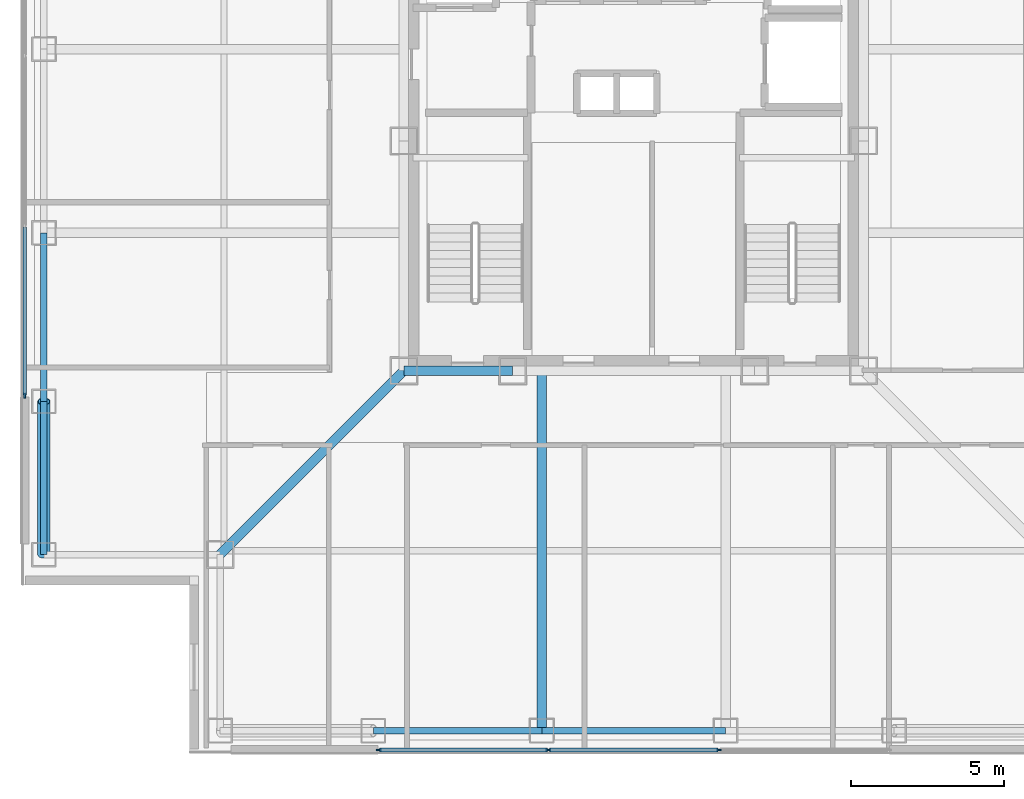
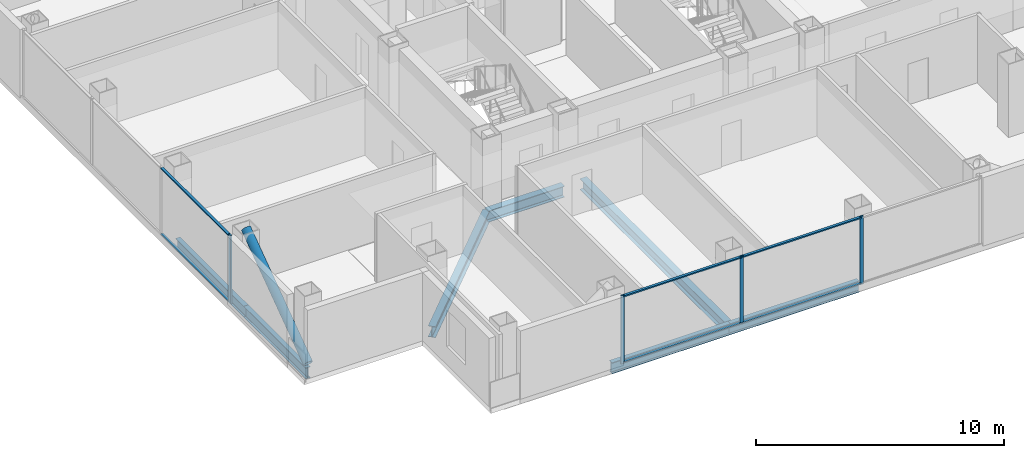
# One storey, part 2 of 17: 11 members, 7 beams, 2 elements without a shape of their own.
"""IFC4 building model written with IfcOpenShell, lengths in metres."""

from ifc_helpers import new_model, si_unit, direction, frame, origin, origin_2d, place, context, subcontext, project, spatial, rectangle, hollow_circle, i_section, extrude, material, layer, layer_set, material_profile, profile_set, type_object, element, aggregate, save


model = new_model("IFC4")

# Units and contexts
model_context = context("Model", 3, precision=1e-05, world=origin(), true_north=direction((0.0, 1.0)))
body_context = subcontext(model_context, "Body", "Model", "MODEL_VIEW")
ifc_project = project(units=[si_unit("LENGTHUNIT", "METRE"), si_unit("AREAUNIT", "SQUARE_METRE"), si_unit("VOLUMEUNIT", "CUBIC_METRE"), si_unit("PLANEANGLEUNIT", "RADIAN"), si_unit("MASSUNIT", "GRAM", prefix="KILO")], contexts=[model_context])

# Site, building, storey
site_placement = place(None, origin())
site = spatial("IfcSite", under=ifc_project, at=site_placement, CompositionType="ELEMENT")
building_placement = place(site_placement, origin())
building = spatial("IfcBuilding", under=site, at=building_placement, Name="Trevonay Congress Spire", CompositionType="ELEMENT")
storey_placement = place(building_placement, frame((0.0, 0.0, 213.0)))
storey = spatial("IfcBuildingStorey", under=building, at=storey_placement, Name="L55", CompositionType="ELEMENT", Elevation=213.0)

# Beams
ifc_material_1 = material(Name="Steel ASTM A572 Grade 50", Category="steel")
ifc_material_profile_1 = material_profile(ifc_material_1, i_section(OverallWidth=0.31201171875, OverallDepth=0.54296875, WebThickness=0.0126953125, FlangeThickness=0.020263671875, FilletRadius=0.014892578125, at=origin_2d()), Name="W530x150")
ifc_profile_set_1 = profile_set([ifc_material_profile_1], Name="Steel ASTM A572 Grade 50")
beam_type_1 = type_object("IfcBeamType", Name="BM-GIRD-W530X150", PredefinedType="BEAM", material=ifc_profile_set_1)
beam_1_placement = place(storey_placement, frame((-7.5, -7.5, -0.511474609375), z_axis=(1.0, 0.0, 0.0), x_axis=(0.0, 1.0, 0.0)))
element("IfcBeam", 1, at=beam_1_placement, inside=storey, type_object=beam_type_1, Name="L55 structural beam BM-L55-CR-S1", PredefinedType="BEAM", context=body_context, shape_type="SweptSolid", body=[
    extrude(i_section(OverallWidth=0.31201171875, OverallDepth=0.54296875, WebThickness=0.0126953125, FlangeThickness=0.020263671875, FilletRadius=0.014892578125, at=origin_2d()), origin(), (0.0, 0.0, 1.0), 3.550048828125),
])
beam_2_placement = place(storey_placement, frame((-7.5, -7.5, -0.511474609375), z_axis=(-0.707106781187, -0.707106781187, 0.0), x_axis=(0.707106781187, -0.707106781187, 0.0)))
element("IfcBeam", 2, at=beam_2_placement, inside=storey, type_object=beam_type_1, Name="L55 structural beam BM-L55-CDSW", PredefinedType="BEAM", context=body_context, shape_type="SweptSolid", body=[
    extrude(i_section(OverallWidth=0.31201171875, OverallDepth=0.54296875, WebThickness=0.0126953125, FlangeThickness=0.020263671875, FilletRadius=0.014892578125, at=origin_2d()), origin(), (0.0, 0.0, 1.0), 8.4853515625),
])
beam_3_placement = place(storey_placement, frame((-3.0, -7.5, -0.511474609375), z_axis=(0.0, -1.0, 0.0), x_axis=(1.0, 0.0, 0.0)))
element("IfcBeam", 3, at=beam_3_placement, inside=storey, type_object=beam_type_1, Name="L55 structural beam BM-L55-GS-M", PredefinedType="BEAM", context=body_context, shape_type="SweptSolid", body=[
    extrude(i_section(OverallWidth=0.31201171875, OverallDepth=0.54296875, WebThickness=0.0126953125, FlangeThickness=0.020263671875, FilletRadius=0.014892578125, at=origin_2d()), origin(), (0.0, 0.0, 1.0), 11.75),
])
ifc_material_profile_2 = material_profile(ifc_material_1, i_section(OverallWidth=0.2119140625, OverallDepth=0.5439453125, WebThickness=0.01318359375, FlangeThickness=0.021240234375, FilletRadius=0.014892578125, at=origin_2d()), Name="W530x123")
ifc_profile_set_2 = profile_set([ifc_material_profile_2], Name="Steel ASTM A572 Grade 50")
beam_type_2 = type_object("IfcBeamType", Name="BM-RING-W530X123", PredefinedType="BEAM", material=ifc_profile_set_2)
beam_4_placement = place(storey_placement, frame((-19.25, -13.5, -0.511962890625), z_axis=(0.0, 1.0, 0.0), x_axis=(-1.0, 0.0, 0.0)))
element("IfcBeam", 4, at=beam_4_placement, inside=storey, type_object=beam_type_2, Name="L55 structural beam BM-L55-PW1", PredefinedType="BEAM", context=body_context, shape_type="SweptSolid", body=[
    extrude(i_section(OverallWidth=0.2119140625, OverallDepth=0.5439453125, WebThickness=0.01318359375, FlangeThickness=0.021240234375, FilletRadius=0.014892578125, at=origin_2d()), origin(), (0.0, 0.0, 1.0), 5.0),
])
for number, where, z_axis, x_axis, name in (
    (5, (-8.5, -19.25, -0.511962890625), (1.0, 0.0, 0.0), (0.0, 1.0, 0.0), "L55 structural beam BM-L55-PS2"),
    (6, (-19.25, -8.5, -0.511962890625), (0.0, 1.0, 0.0), (-1.0, 0.0, 0.0), "L55 structural beam BM-L55-PW2"),
):
    element("IfcBeam", number, at=place(storey_placement, frame(where, z_axis=z_axis, x_axis=x_axis)), inside=storey, type_object=beam_type_2, Name=name, PredefinedType="BEAM", context=body_context, shape_type="SweptSolid", body=[
        extrude(i_section(OverallWidth=0.2119140625, OverallDepth=0.5439453125, WebThickness=0.01318359375, FlangeThickness=0.021240234375, FilletRadius=0.014892578125, at=origin_2d()), origin(), (0.0, 0.0, 1.0), 5.5),
    ])
beam_5_placement = place(storey_placement, frame((-3.0, -19.25, -0.511962890625), z_axis=(1.0, 0.0, 0.0), x_axis=(0.0, 1.0, 0.0)))
element("IfcBeam", 7, at=beam_5_placement, inside=storey, type_object=beam_type_2, Name="L55 structural beam BM-L55-PS3", PredefinedType="BEAM", context=body_context, shape_type="SweptSolid", body=[
    extrude(i_section(OverallWidth=0.2119140625, OverallDepth=0.5439453125, WebThickness=0.01318359375, FlangeThickness=0.021240234375, FilletRadius=0.014892578125, at=origin_2d()), origin(), (0.0, 0.0, 1.0), 6.0),
])

# Curtain wall, members
ifc_material_2 = material(Name="Pale Anodised Aluminium EN AW-6063-T6", Category="aluminium")
ifc_layer = layer(ifc_material_2, 0.169921875, Name="Pale Anodised Aluminium EN AW-6063-T6")
ifc_layer_set = layer_set([ifc_layer], Name="Pale Anodised Aluminium EN AW-6063-T6")
curtain_wall_type = type_object("IfcCurtainWallType", Name="CW-SYS04-CORP-PALE-METAL", PredefinedType="NOTDEFINED", material=ifc_layer_set)
curtain_wall_1_placement = place(storey_placement, origin())
curtain_wall_1 = element("IfcCurtainWall", 8, at=curtain_wall_1_placement, inside=storey, type_object=curtain_wall_type, Name="L55 S unitised curtain wall", PredefinedType="NOTDEFINED")
ifc_material_profile_3 = material_profile(ifc_material_2, rectangle(XDim=0.06005859375, YDim=0.159912109375, at=origin_2d()), Name="CW-MULLION-160-ALUMINIUM")
ifc_profile_set_3 = profile_set([ifc_material_profile_3], Name="Pale Anodised Aluminium EN AW-6063-T6")
member_type_1 = type_object("IfcMemberType", Name="CW-MULLION-160-ALUMINIUM", PredefinedType="MULLION", material=ifc_profile_set_3)
member_1_placement = place(storey_placement, frame((-8.320068359375, -19.8798828125, 0.0), z_axis=(0.0, 0.0, 1.0), x_axis=(0.0, 1.0, 0.0)))
member_1 = element("IfcMember", 9, at=member_1_placement, type_object=member_type_1, Name="CW04 mullion 1", PredefinedType="MULLION", context=body_context, shape_type="SweptSolid", body=[
    extrude(rectangle(XDim=0.06005859375, YDim=0.159912109375, at=origin_2d()), origin(), (0.0, 0.0, 1.0), 3.360107421875),
])
member_2_placement = place(storey_placement, frame((-2.783447265625, -19.8798828125, 0.0), z_axis=(0.0, 0.0, 1.0), x_axis=(0.0, 1.0, 0.0)))
member_2 = element("IfcMember", 10, at=member_2_placement, type_object=member_type_1, Name="CW04 mullion 2", PredefinedType="MULLION", context=body_context, shape_type="SweptSolid", body=[
    extrude(rectangle(XDim=0.06005859375, YDim=0.159912109375, at=origin_2d()), origin(), (0.0, 0.0, 1.0), 3.360107421875),
])
member_3_placement = place(storey_placement, frame((2.783447265625, -19.8798828125, 0.0), z_axis=(0.0, 0.0, 1.0), x_axis=(0.0, 1.0, 0.0)))
member_3 = element("IfcMember", 11, at=member_3_placement, type_object=member_type_1, Name="CW04 mullion 3", PredefinedType="MULLION", context=body_context, shape_type="SweptSolid", body=[
    extrude(rectangle(XDim=0.06005859375, YDim=0.159912109375, at=origin_2d()), origin(), (0.0, 0.0, 1.0), 3.360107421875),
])

# Curtain wall, member
curtain_wall_2_placement = place(storey_placement, origin())
curtain_wall_2 = element("IfcCurtainWall", 12, at=curtain_wall_2_placement, inside=storey, type_object=curtain_wall_type, Name="L55 W unitised curtain wall", PredefinedType="NOTDEFINED")
member_4_placement = place(storey_placement, frame((-19.8798828125, -8.320068359375, 0.0), z_axis=(0.0, 0.0, 1.0), x_axis=(-1.0, 0.0, 0.0)))
member_4 = element("IfcMember", 13, at=member_4_placement, type_object=member_type_1, Name="CW04 mullion 1", PredefinedType="MULLION", context=body_context, shape_type="SweptSolid", body=[
    extrude(rectangle(XDim=0.06005859375, YDim=0.159912109375, at=origin_2d()), origin(), (0.0, 0.0, 1.0), 3.360107421875),
])

# Member
ifc_material_profile_4 = material_profile(ifc_material_2, rectangle(XDim=0.1201171875, YDim=0.06005859375, at=origin_2d()), Name="CW-TRANSOM-120-ALUMINIUM")
ifc_profile_set_4 = profile_set([ifc_material_profile_4], Name="Pale Anodised Aluminium EN AW-6063-T6")
member_type_2 = type_object("IfcMemberType", Name="CW-TRANSOM-120-ALUMINIUM", PredefinedType="USERDEFINED", material=ifc_profile_set_4)
member_5_placement = place(storey_placement, frame((-8.2900390625, -19.8798828125, 0.06005859375), z_axis=(1.0, 0.0, 0.0), x_axis=(0.0, 1.0, 0.0)))
member_5 = element("IfcMember", 14, at=member_5_placement, type_object=member_type_2, Name="CW04 transom 1.1", ObjectType="TRANSOM", PredefinedType="USERDEFINED", context=body_context, shape_type="SweptSolid", body=[
    extrude(rectangle(XDim=0.1201171875, YDim=0.06005859375, at=origin_2d()), origin(), (0.0, 0.0, 1.0), 5.476806640625),
])

member_6_placement = place(storey_placement, frame((-8.2900390625, -19.8798828125, 3.300048828125), z_axis=(1.0, 0.0, 0.0), x_axis=(0.0, 1.0, 0.0)))
member_6 = element("IfcMember", 15, at=member_6_placement, type_object=member_type_2, Name="CW04 transom 1.2", ObjectType="TRANSOM", PredefinedType="USERDEFINED", context=body_context, shape_type="SweptSolid", body=[
    extrude(rectangle(XDim=0.1201171875, YDim=0.06005859375, at=origin_2d()), origin(), (0.0, 0.0, 1.0), 5.476806640625),
])

member_7_placement = place(storey_placement, frame((-2.75341796875, -19.8798828125, 0.06005859375), z_axis=(1.0, 0.0, 0.0), x_axis=(0.0, 1.0, 0.0)))
member_7 = element("IfcMember", 16, at=member_7_placement, type_object=member_type_2, Name="CW04 transom 2.1", ObjectType="TRANSOM", PredefinedType="USERDEFINED", context=body_context, shape_type="SweptSolid", body=[
    extrude(rectangle(XDim=0.1201171875, YDim=0.06005859375, at=origin_2d()), origin(), (0.0, 0.0, 1.0), 5.5068359375),
])

member_8_placement = place(storey_placement, frame((-2.75341796875, -19.8798828125, 3.300048828125), z_axis=(1.0, 0.0, 0.0), x_axis=(0.0, 1.0, 0.0)))
member_8 = element("IfcMember", 17, at=member_8_placement, type_object=member_type_2, Name="CW04 transom 2.2", ObjectType="TRANSOM", PredefinedType="USERDEFINED", context=body_context, shape_type="SweptSolid", body=[
    extrude(rectangle(XDim=0.1201171875, YDim=0.06005859375, at=origin_2d()), origin(), (0.0, 0.0, 1.0), 5.5068359375),
])

aggregate(curtain_wall_1, [member_1, member_2, member_3, member_5, member_6, member_7, member_8])

member_9_placement = place(storey_placement, frame((-19.8798828125, -8.2900390625, 0.06005859375), z_axis=(0.0, 1.0, 0.0), x_axis=(-1.0, 0.0, 0.0)))
member_9 = element("IfcMember", 18, at=member_9_placement, type_object=member_type_2, Name="CW04 transom 1.1", ObjectType="TRANSOM", PredefinedType="USERDEFINED", context=body_context, shape_type="SweptSolid", body=[
    extrude(rectangle(XDim=0.1201171875, YDim=0.06005859375, at=origin_2d()), origin(), (0.0, 0.0, 1.0), 5.476806640625),
])

member_10_placement = place(storey_placement, frame((-19.8798828125, -8.2900390625, 3.300048828125), z_axis=(0.0, 1.0, 0.0), x_axis=(-1.0, 0.0, 0.0)))
member_10 = element("IfcMember", 19, at=member_10_placement, type_object=member_type_2, Name="CW04 transom 1.2", ObjectType="TRANSOM", PredefinedType="USERDEFINED", context=body_context, shape_type="SweptSolid", body=[
    extrude(rectangle(XDim=0.1201171875, YDim=0.06005859375, at=origin_2d()), origin(), (0.0, 0.0, 1.0), 5.476806640625),
])

aggregate(curtain_wall_2, [member_4, member_9, member_10])

ifc_material_3 = material(Name="Steel ASTM A500 Grade C", Category="steel")
ifc_material_profile_5 = material_profile(ifc_material_3, hollow_circle(Radius=0.203125, WallThickness=0.02001953125, at=origin_2d()), Name="CHS 406.4x20")
ifc_profile_set_5 = profile_set([ifc_material_profile_5], Name="Steel ASTM A500 Grade C")
member_type_3 = type_object("IfcMemberType", Name="MBR-TUBE-CHS406", PredefinedType="BRACE", material=ifc_profile_set_5)
member_11_placement = place(storey_placement, frame((-19.25, -13.5, -0.050048828125), z_axis=(0.0, 0.811526825515, 0.584315164504), x_axis=(-1.0, 0.0, 0.0)))
element("IfcMember", 20, at=member_11_placement, inside=storey, type_object=member_type_3, Name="L55 perimeter braced-tube diagonal W0", PredefinedType="BRACE", context=body_context, shape_type="SweptSolid", body=[
    extrude(hollow_circle(Radius=0.203125, WallThickness=0.02001953125, at=origin_2d()), origin(), (0.0, 0.0, 1.0), 6.1611328125),
])

save(model, "model.ifc")
